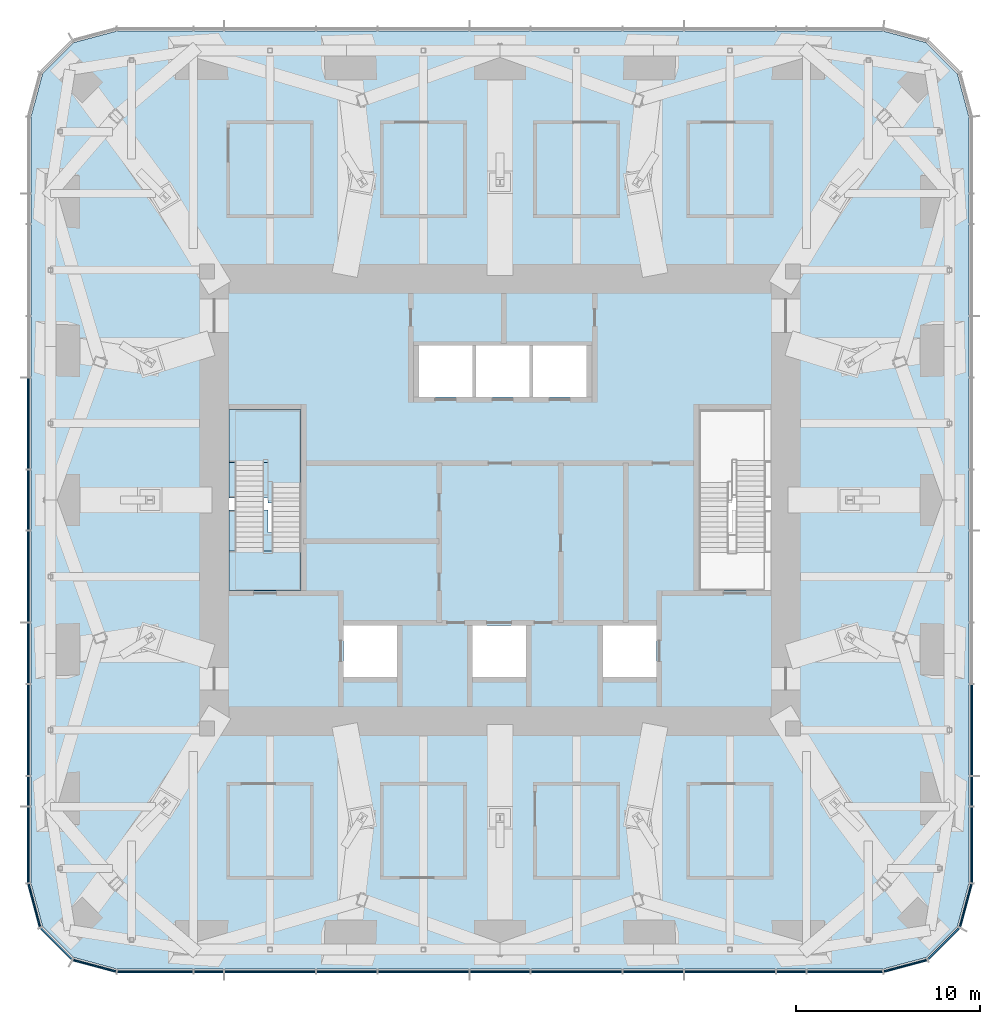
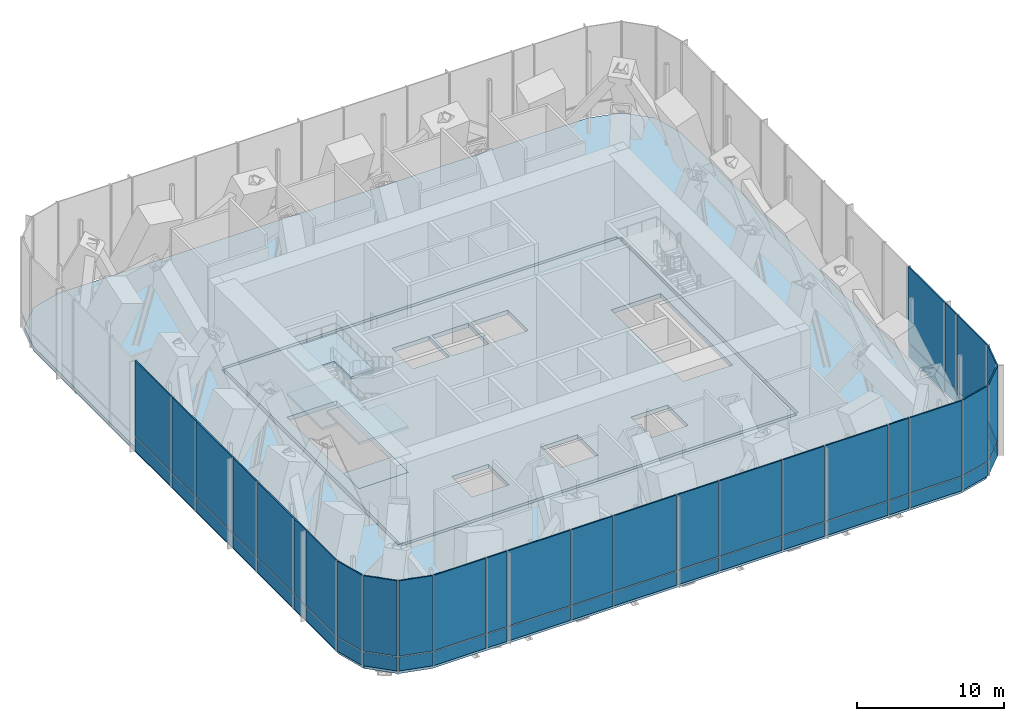
# One storey, part 10 of 16: 54 plates, 6 slabs, 6 elements without a shape of their own.
"""IFC4 building model written with IfcOpenShell, lengths in metres."""

from ifc_helpers import new_model, si_unit, direction, frame, origin, origin_2d, place, context, subcontext, project, spatial, polyline, rectangle, outline, extrude, material, layer, layer_set, type_object, element, aggregate, save


model = new_model("IFC4")

# Units and contexts
model_context = context("Model", 3, precision=1e-05, world=origin(), true_north=direction((0.0, 1.0)))
body_context = subcontext(model_context, "Body", "Model", "MODEL_VIEW")
ifc_project = project(units=[si_unit("LENGTHUNIT", "METRE"), si_unit("AREAUNIT", "SQUARE_METRE"), si_unit("VOLUMEUNIT", "CUBIC_METRE"), si_unit("PLANEANGLEUNIT", "RADIAN"), si_unit("MASSUNIT", "GRAM", prefix="KILO")], contexts=[model_context])

# Site, building, storey
site_placement = place(None, origin())
site = spatial("IfcSite", under=ifc_project, at=site_placement, CompositionType="ELEMENT")
building_placement = place(site_placement, origin())
building = spatial("IfcBuilding", under=site, at=building_placement, Name="Khuree Lantern Residences", CompositionType="ELEMENT")
storey_placement = place(building_placement, frame((0.0, 0.0, 278.25)))
storey = spatial("IfcBuildingStorey", under=building, at=storey_placement, Name="L70", CompositionType="ELEMENT", Elevation=278.25)

# Slabs
ifc_material_1 = material(Name="Concrete C35/45", Category="concrete")
ifc_layer_1 = layer(ifc_material_1, 0.35009765625)
ifc_layer_set_1 = layer_set([ifc_layer_1], Name="CFL350 CORE FLOOR SLAB 350")
slab_type_1 = type_object("IfcSlabType", Name="CFL350 CORE FLOOR SLAB 350", PredefinedType="FLOOR", material=ifc_layer_set_1)
slab_1_placement = place(storey_placement, frame((0.0, 0.0, -0.35009765625)))
element("IfcSlab", 1, at=slab_1_placement, inside=storey, type_object=slab_type_1, Name="Core floor L70", PredefinedType="FLOOR", context=body_context, shape_type="SweptSolid", body=[
    extrude(outline(polyline([(-15.5, -12.0), (-15.5, 12.0), (15.5, 12.0), (15.5, -12.0), (-15.5, -12.0)]), holes=[polyline([(10.800048828125, 4.89990234375), (10.800048828125, -4.89990234375), (14.699951171875, -4.89990234375), (14.699951171875, 4.89990234375), (10.800048828125, 4.89990234375)]), polyline([(5.60009765625, -6.800048828125), (5.60009765625, -9.60009765625), (8.5, -9.60009765625), (8.5, -6.800048828125), (5.60009765625, -6.800048828125)]), polyline([(1.800048828125, 8.39990234375), (1.800048828125, 5.60009765625), (4.699951171875, 5.60009765625), (4.699951171875, 8.39990234375), (1.800048828125, 8.39990234375)]), polyline([(-1.300048828125, 8.39990234375), (-1.300048828125, 5.60009765625), (1.60009765625, 5.60009765625), (1.60009765625, 8.39990234375), (-1.300048828125, 8.39990234375)]), polyline([(-1.5, -6.800048828125), (-1.5, -9.60009765625), (1.39990234375, -9.60009765625), (1.39990234375, -6.800048828125), (-1.5, -6.800048828125)]), polyline([(-4.39990234375, 8.39990234375), (-4.39990234375, 5.60009765625), (-1.5, 5.60009765625), (-1.5, 8.39990234375), (-4.39990234375, 8.39990234375)]), polyline([(-8.5, -6.800048828125), (-8.5, -9.60009765625), (-5.60009765625, -9.60009765625), (-5.60009765625, -6.800048828125), (-8.5, -6.800048828125)]), polyline([(-14.699951171875, 4.89990234375), (-14.699951171875, -4.89990234375), (-10.800048828125, -4.89990234375), (-10.800048828125, 4.89990234375), (-14.699951171875, 4.89990234375)])]), origin(), (0.0, 0.0, 1.0), 0.35009765625),
])
ifc_layer_2 = layer(ifc_material_1, 0.35009765625)
ifc_layer_set_2 = layer_set([ifc_layer_2], Name="FS350 FLOOR SLAB 350")
slab_type_2 = type_object("IfcSlabType", Name="FS350 FLOOR SLAB 350", PredefinedType="FLOOR", material=ifc_layer_set_2)
slab_2_placement = place(storey_placement, frame((0.0, 0.0, -0.35009765625)))
element("IfcSlab", 2, at=slab_2_placement, inside=storey, type_object=slab_type_2, Name="Floor slab L70", PredefinedType="FLOOR", context=body_context, shape_type="SweptSolid", body=[
    extrude(outline(polyline([(-23.125, -24.826904296875), (-24.826904296875, -23.125), (-25.449951171875, -20.800048828125), (-25.449951171875, 20.800048828125), (-24.826904296875, 23.125), (-23.125, 24.826904296875), (-20.800048828125, 25.449951171875), (20.800048828125, 25.449951171875), (23.125, 24.826904296875), (24.826904296875, 23.125), (25.449951171875, 20.800048828125), (25.449951171875, -20.800048828125), (24.826904296875, -23.125), (23.125, -24.826904296875), (20.800048828125, -25.449951171875), (-20.800048828125, -25.449951171875), (-23.125, -24.826904296875)]), holes=[polyline([(15.75, 12.0), (15.5, 12.0), (15.5, 12.25), (-15.5, 12.25), (-15.5, 12.0), (-15.75, 12.0), (-15.75, -12.0), (-15.5, -12.0), (-15.5, -12.25), (15.5, -12.25), (15.5, -12.0), (15.75, -12.0), (15.75, 12.0)])]), origin(), (0.0, 0.0, 1.0), 0.35009765625),
])

# Curtain wall, plates
ifc_material_2 = material(Name="Bronze anodised aluminium", Category="aluminium")
curtain_wall_type = type_object("IfcCurtainWallType", Name="CW-G PLANT STOREY LOUVRED CURTAIN WALL", PredefinedType="USERDEFINED", material=ifc_material_2)
curtain_wall_1_placement = place(storey_placement, origin())
curtain_wall_1 = element("IfcCurtainWall", 3, at=curtain_wall_1_placement, inside=storey, type_object=curtain_wall_type, Name="L70 SOUTH-EAST CORNER CURTAIN WALL", ObjectType="Louvred curtain wall", PredefinedType="USERDEFINED")
ifc_material_3 = material(Name="Bronze anodised aluminium louvre blades", Category="aluminium")
ifc_layer_3 = layer(ifc_material_3, 0.10009765625)
ifc_layer_set_3 = layer_set([ifc_layer_3], Name="LOUVRE PANEL P5")
plate_type_1 = type_object("IfcPlateType", Name="LOUVRE PANEL P5", PredefinedType="CURTAIN_PANEL", material=ifc_layer_set_3)
plate_1_placement = place(storey_placement, frame((21.99609375, -25.279541015625, 1.240234375), z_axis=(0.0, 0.0, 1.0), x_axis=(0.965925832509, 0.258819021888, 0.0)))
plate_1 = element("IfcPlate", 4, at=plate_1_placement, type_object=plate_type_1, Name="L70 SOUTH-EAST CORNER PANEL 1.2", PredefinedType="CURTAIN_PANEL", context=body_context, shape_type="SweptSolid", body=[
    extrude(rectangle(XDim=2.3828125, YDim=0.10009765625, at=origin_2d()), origin(), (0.0, 0.0, 1.0), 6.260009765625),
])
plate_2_placement = place(storey_placement, frame((24.078369140625, -24.078369140625, 1.240234375), z_axis=(0.0, 0.0, 1.0), x_axis=(0.707106781187, 0.707106781187, 0.0)))
plate_2 = element("IfcPlate", 5, at=plate_2_placement, type_object=plate_type_1, Name="L70 SOUTH-EAST CORNER PANEL 2.2", PredefinedType="CURTAIN_PANEL", context=body_context, shape_type="SweptSolid", body=[
    extrude(rectangle(XDim=2.375, YDim=0.10009765625, at=origin_2d()), origin(), (0.0, 0.0, 1.0), 6.260009765625),
])
plate_3_placement = place(storey_placement, frame((25.279541015625, -21.99609375, 1.240234375), z_axis=(0.0, 0.0, 1.0), x_axis=(0.258819021888, 0.965925832509, 0.0)))
plate_3 = element("IfcPlate", 6, at=plate_3_placement, type_object=plate_type_1, Name="L70 SOUTH-EAST CORNER PANEL 3.2", PredefinedType="CURTAIN_PANEL", context=body_context, shape_type="SweptSolid", body=[
    extrude(rectangle(XDim=2.3828125, YDim=0.10009765625, at=origin_2d()), origin(), (0.0, 0.0, 1.0), 6.260009765625),
])

curtain_wall_2_placement = place(storey_placement, origin())
curtain_wall_2 = element("IfcCurtainWall", 7, at=curtain_wall_2_placement, inside=storey, type_object=curtain_wall_type, Name="L70 EAST FACE CURTAIN WALL", ObjectType="Louvred curtain wall", PredefinedType="USERDEFINED")
plate_4_placement = place(storey_placement, frame((25.60009765625, -18.716552734375, 1.240234375), z_axis=(0.0, 0.0, 1.0), x_axis=(0.0, 1.0, 0.0)))
plate_4 = element("IfcPlate", 8, at=plate_4_placement, type_object=plate_type_1, Name="L70 EAST FACE PANEL 4.2", PredefinedType="CURTAIN_PANEL", context=body_context, shape_type="SweptSolid", body=[
    extrude(rectangle(XDim=4.072998046875, YDim=0.10009765625, at=origin_2d()), origin(), (0.0, 0.0, 1.0), 6.260009765625),
])
plate_5_placement = place(storey_placement, frame((25.60009765625, -15.80810546875, 1.240234375), z_axis=(0.0, 0.0, 1.0), x_axis=(0.0, 1.0, 0.0)))
plate_5 = element("IfcPlate", 9, at=plate_5_placement, type_object=plate_type_1, Name="L70 EAST FACE PANEL 5.2", PredefinedType="CURTAIN_PANEL", context=body_context, shape_type="SweptSolid", body=[
    extrude(rectangle(XDim=1.583984375, YDim=0.10009765625, at=origin_2d()), origin(), (0.0, 0.0, 1.0), 6.260009765625),
])
plate_6_placement = place(storey_placement, frame((25.60009765625, -12.47998046875, 1.240234375), z_axis=(0.0, 0.0, 1.0), x_axis=(0.0, 1.0, 0.0)))
plate_6 = element("IfcPlate", 10, at=plate_6_placement, type_object=plate_type_1, Name="L70 EAST FACE PANEL 6.2", PredefinedType="CURTAIN_PANEL", context=body_context, shape_type="SweptSolid", body=[
    extrude(rectangle(XDim=4.912109375, YDim=0.10009765625, at=origin_2d()), origin(), (0.0, 0.0, 1.0), 6.260009765625),
])

curtain_wall_3_placement = place(storey_placement, origin())
curtain_wall_3 = element("IfcCurtainWall", 11, at=curtain_wall_3_placement, inside=storey, type_object=curtain_wall_type, Name="L70 WEST FACE CURTAIN WALL", ObjectType="Louvred curtain wall", PredefinedType="USERDEFINED")
plate_7_placement = place(storey_placement, frame((-25.60009765625, 4.159912109375, 1.240234375), z_axis=(0.0, 0.0, 1.0), x_axis=(0.0, -1.0, 0.0)))
plate_7 = element("IfcPlate", 12, at=plate_7_placement, type_object=plate_type_1, Name="L70 WEST FACE PANEL 36.2", PredefinedType="CURTAIN_PANEL", context=body_context, shape_type="SweptSolid", body=[
    extrude(rectangle(XDim=4.912109375, YDim=0.10009765625, at=origin_2d()), origin(), (0.0, 0.0, 1.0), 6.260009765625),
])
plate_8_placement = place(storey_placement, frame((-25.60009765625, 0.0, 1.240234375), z_axis=(0.0, 0.0, 1.0), x_axis=(0.0, -1.0, 0.0)))
plate_8 = element("IfcPlate", 13, at=plate_8_placement, type_object=plate_type_1, Name="L70 WEST FACE PANEL 37.2", PredefinedType="CURTAIN_PANEL", context=body_context, shape_type="SweptSolid", body=[
    extrude(rectangle(XDim=3.248046875, YDim=0.10009765625, at=origin_2d()), origin(), (0.0, 0.0, 1.0), 6.260009765625),
])
plate_9_placement = place(storey_placement, frame((-25.60009765625, -4.159912109375, 1.240234375), z_axis=(0.0, 0.0, 1.0), x_axis=(0.0, -1.0, 0.0)))
plate_9 = element("IfcPlate", 14, at=plate_9_placement, type_object=plate_type_1, Name="L70 WEST FACE PANEL 38.2", PredefinedType="CURTAIN_PANEL", context=body_context, shape_type="SweptSolid", body=[
    extrude(rectangle(XDim=4.912109375, YDim=0.10009765625, at=origin_2d()), origin(), (0.0, 0.0, 1.0), 6.260009765625),
])
plate_10_placement = place(storey_placement, frame((-25.60009765625, -8.320068359375, 1.240234375), z_axis=(0.0, 0.0, 1.0), x_axis=(0.0, -1.0, 0.0)))
plate_10 = element("IfcPlate", 15, at=plate_10_placement, type_object=plate_type_1, Name="L70 WEST FACE PANEL 39.2", PredefinedType="CURTAIN_PANEL", context=body_context, shape_type="SweptSolid", body=[
    extrude(rectangle(XDim=3.248046875, YDim=0.10009765625, at=origin_2d()), origin(), (0.0, 0.0, 1.0), 6.260009765625),
])
plate_11_placement = place(storey_placement, frame((-25.60009765625, -12.47998046875, 1.240234375), z_axis=(0.0, 0.0, 1.0), x_axis=(0.0, -1.0, 0.0)))
plate_11 = element("IfcPlate", 16, at=plate_11_placement, type_object=plate_type_1, Name="L70 WEST FACE PANEL 40.2", PredefinedType="CURTAIN_PANEL", context=body_context, shape_type="SweptSolid", body=[
    extrude(rectangle(XDim=4.912109375, YDim=0.10009765625, at=origin_2d()), origin(), (0.0, 0.0, 1.0), 6.260009765625),
])
plate_12_placement = place(storey_placement, frame((-25.60009765625, -15.80810546875, 1.240234375), z_axis=(0.0, 0.0, 1.0), x_axis=(0.0, -1.0, 0.0)))
plate_12 = element("IfcPlate", 17, at=plate_12_placement, type_object=plate_type_1, Name="L70 WEST FACE PANEL 41.2", PredefinedType="CURTAIN_PANEL", context=body_context, shape_type="SweptSolid", body=[
    extrude(rectangle(XDim=1.583984375, YDim=0.10009765625, at=origin_2d()), origin(), (0.0, 0.0, 1.0), 6.260009765625),
])
plate_13_placement = place(storey_placement, frame((-25.60009765625, -18.716552734375, 1.240234375), z_axis=(0.0, 0.0, 1.0), x_axis=(0.0, -1.0, 0.0)))
plate_13 = element("IfcPlate", 18, at=plate_13_placement, type_object=plate_type_1, Name="L70 WEST FACE PANEL 42.2", PredefinedType="CURTAIN_PANEL", context=body_context, shape_type="SweptSolid", body=[
    extrude(rectangle(XDim=4.072998046875, YDim=0.10009765625, at=origin_2d()), origin(), (0.0, 0.0, 1.0), 6.260009765625),
])

curtain_wall_4_placement = place(storey_placement, origin())
curtain_wall_4 = element("IfcCurtainWall", 19, at=curtain_wall_4_placement, inside=storey, type_object=curtain_wall_type, Name="L70 SOUTH-WEST CORNER CURTAIN WALL", ObjectType="Louvred curtain wall", PredefinedType="USERDEFINED")
plate_14_placement = place(storey_placement, frame((-25.279541015625, -21.99609375, 1.240234375), z_axis=(0.0, 0.0, 1.0), x_axis=(0.258819021888, -0.965925832509, 0.0)))
plate_14 = element("IfcPlate", 20, at=plate_14_placement, type_object=plate_type_1, Name="L70 SOUTH-WEST CORNER PANEL 43.2", PredefinedType="CURTAIN_PANEL", context=body_context, shape_type="SweptSolid", body=[
    extrude(rectangle(XDim=2.3828125, YDim=0.10009765625, at=origin_2d()), origin(), (0.0, 0.0, 1.0), 6.260009765625),
])
plate_15_placement = place(storey_placement, frame((-24.078369140625, -24.078369140625, 1.240234375), z_axis=(0.0, 0.0, 1.0), x_axis=(0.707106781187, -0.707106781187, 0.0)))
plate_15 = element("IfcPlate", 21, at=plate_15_placement, type_object=plate_type_1, Name="L70 SOUTH-WEST CORNER PANEL 44.2", PredefinedType="CURTAIN_PANEL", context=body_context, shape_type="SweptSolid", body=[
    extrude(rectangle(XDim=2.375, YDim=0.10009765625, at=origin_2d()), origin(), (0.0, 0.0, 1.0), 6.260009765625),
])
plate_16_placement = place(storey_placement, frame((-21.99609375, -25.279541015625, 1.240234375), z_axis=(0.0, 0.0, 1.0), x_axis=(0.965925832509, -0.258819021888, 0.0)))
plate_16 = element("IfcPlate", 22, at=plate_16_placement, type_object=plate_type_1, Name="L70 SOUTH-WEST CORNER PANEL 45.2", PredefinedType="CURTAIN_PANEL", context=body_context, shape_type="SweptSolid", body=[
    extrude(rectangle(XDim=2.3828125, YDim=0.10009765625, at=origin_2d()), origin(), (0.0, 0.0, 1.0), 6.260009765625),
])

curtain_wall_5_placement = place(storey_placement, origin())
curtain_wall_5 = element("IfcCurtainWall", 23, at=curtain_wall_5_placement, inside=storey, type_object=curtain_wall_type, Name="L70 SOUTH FACE CURTAIN WALL", ObjectType="Louvred curtain wall", PredefinedType="USERDEFINED")
plate_17_placement = place(storey_placement, frame((-18.716552734375, -25.60009765625, 1.240234375), z_axis=(0.0, 0.0, 1.0), x_axis=(1.0, 0.0, 0.0)))
plate_17 = element("IfcPlate", 24, at=plate_17_placement, type_object=plate_type_1, Name="L70 SOUTH FACE PANEL 46.2", PredefinedType="CURTAIN_PANEL", context=body_context, shape_type="SweptSolid", body=[
    extrude(rectangle(XDim=4.072998046875, YDim=0.10009765625, at=origin_2d()), origin(), (0.0, 0.0, 1.0), 6.260009765625),
])
plate_18_placement = place(storey_placement, frame((-15.80810546875, -25.60009765625, 1.240234375), z_axis=(0.0, 0.0, 1.0), x_axis=(1.0, 0.0, 0.0)))
plate_18 = element("IfcPlate", 25, at=plate_18_placement, type_object=plate_type_1, Name="L70 SOUTH FACE PANEL 47.2", PredefinedType="CURTAIN_PANEL", context=body_context, shape_type="SweptSolid", body=[
    extrude(rectangle(XDim=1.583984375, YDim=0.10009765625, at=origin_2d()), origin(), (0.0, 0.0, 1.0), 6.260009765625),
])
plate_19_placement = place(storey_placement, frame((-12.47998046875, -25.60009765625, 1.240234375), z_axis=(0.0, 0.0, 1.0), x_axis=(1.0, 0.0, 0.0)))
plate_19 = element("IfcPlate", 26, at=plate_19_placement, type_object=plate_type_1, Name="L70 SOUTH FACE PANEL 48.2", PredefinedType="CURTAIN_PANEL", context=body_context, shape_type="SweptSolid", body=[
    extrude(rectangle(XDim=4.912109375, YDim=0.10009765625, at=origin_2d()), origin(), (0.0, 0.0, 1.0), 6.260009765625),
])
plate_20_placement = place(storey_placement, frame((-8.320068359375, -25.60009765625, 1.240234375), z_axis=(0.0, 0.0, 1.0), x_axis=(1.0, 0.0, 0.0)))
plate_20 = element("IfcPlate", 27, at=plate_20_placement, type_object=plate_type_1, Name="L70 SOUTH FACE PANEL 49.2", PredefinedType="CURTAIN_PANEL", context=body_context, shape_type="SweptSolid", body=[
    extrude(rectangle(XDim=3.248046875, YDim=0.10009765625, at=origin_2d()), origin(), (0.0, 0.0, 1.0), 6.260009765625),
])
plate_21_placement = place(storey_placement, frame((-4.159912109375, -25.60009765625, 1.240234375), z_axis=(0.0, 0.0, 1.0), x_axis=(1.0, 0.0, 0.0)))
plate_21 = element("IfcPlate", 28, at=plate_21_placement, type_object=plate_type_1, Name="L70 SOUTH FACE PANEL 50.2", PredefinedType="CURTAIN_PANEL", context=body_context, shape_type="SweptSolid", body=[
    extrude(rectangle(XDim=4.912109375, YDim=0.10009765625, at=origin_2d()), origin(), (0.0, 0.0, 1.0), 6.260009765625),
])
plate_22_placement = place(storey_placement, frame((0.0, -25.60009765625, 1.240234375), z_axis=(0.0, 0.0, 1.0), x_axis=(1.0, 0.0, 0.0)))
plate_22 = element("IfcPlate", 29, at=plate_22_placement, type_object=plate_type_1, Name="L70 SOUTH FACE PANEL 51.2", PredefinedType="CURTAIN_PANEL", context=body_context, shape_type="SweptSolid", body=[
    extrude(rectangle(XDim=3.248046875, YDim=0.10009765625, at=origin_2d()), origin(), (0.0, 0.0, 1.0), 6.260009765625),
])
plate_23_placement = place(storey_placement, frame((4.159912109375, -25.60009765625, 1.240234375), z_axis=(0.0, 0.0, 1.0), x_axis=(1.0, 0.0, 0.0)))
plate_23 = element("IfcPlate", 30, at=plate_23_placement, type_object=plate_type_1, Name="L70 SOUTH FACE PANEL 52.2", PredefinedType="CURTAIN_PANEL", context=body_context, shape_type="SweptSolid", body=[
    extrude(rectangle(XDim=4.912109375, YDim=0.10009765625, at=origin_2d()), origin(), (0.0, 0.0, 1.0), 6.260009765625),
])
plate_24_placement = place(storey_placement, frame((8.320068359375, -25.60009765625, 1.240234375), z_axis=(0.0, 0.0, 1.0), x_axis=(1.0, 0.0, 0.0)))
plate_24 = element("IfcPlate", 31, at=plate_24_placement, type_object=plate_type_1, Name="L70 SOUTH FACE PANEL 53.2", PredefinedType="CURTAIN_PANEL", context=body_context, shape_type="SweptSolid", body=[
    extrude(rectangle(XDim=3.248046875, YDim=0.10009765625, at=origin_2d()), origin(), (0.0, 0.0, 1.0), 6.260009765625),
])
plate_25_placement = place(storey_placement, frame((12.47998046875, -25.60009765625, 1.240234375), z_axis=(0.0, 0.0, 1.0), x_axis=(1.0, 0.0, 0.0)))
plate_25 = element("IfcPlate", 32, at=plate_25_placement, type_object=plate_type_1, Name="L70 SOUTH FACE PANEL 54.2", PredefinedType="CURTAIN_PANEL", context=body_context, shape_type="SweptSolid", body=[
    extrude(rectangle(XDim=4.912109375, YDim=0.10009765625, at=origin_2d()), origin(), (0.0, 0.0, 1.0), 6.260009765625),
])
plate_26_placement = place(storey_placement, frame((15.80810546875, -25.60009765625, 1.240234375), z_axis=(0.0, 0.0, 1.0), x_axis=(1.0, 0.0, 0.0)))
plate_26 = element("IfcPlate", 33, at=plate_26_placement, type_object=plate_type_1, Name="L70 SOUTH FACE PANEL 55.2", PredefinedType="CURTAIN_PANEL", context=body_context, shape_type="SweptSolid", body=[
    extrude(rectangle(XDim=1.583984375, YDim=0.10009765625, at=origin_2d()), origin(), (0.0, 0.0, 1.0), 6.260009765625),
])
plate_27_placement = place(storey_placement, frame((18.716552734375, -25.60009765625, 1.240234375), z_axis=(0.0, 0.0, 1.0), x_axis=(1.0, 0.0, 0.0)))
plate_27 = element("IfcPlate", 34, at=plate_27_placement, type_object=plate_type_1, Name="L70 SOUTH FACE PANEL 56.2", PredefinedType="CURTAIN_PANEL", context=body_context, shape_type="SweptSolid", body=[
    extrude(rectangle(XDim=4.072998046875, YDim=0.10009765625, at=origin_2d()), origin(), (0.0, 0.0, 1.0), 6.260009765625),
])

# Plate
ifc_material_4 = material(Name="Bronze anodised aluminium insulated spandrel", Category="aluminium")
ifc_layer_4 = layer(ifc_material_4, 0.080078125)
ifc_layer_set_4 = layer_set([ifc_layer_4], Name="PLANT SPANDREL PANEL P6")
plate_type_2 = type_object("IfcPlateType", Name="PLANT SPANDREL PANEL P6", PredefinedType="CURTAIN_PANEL", material=ifc_layer_set_4)
plate_28_placement = place(storey_placement, frame((21.996826171875, -25.279296875, 0.0), z_axis=(0.0, 0.0, 1.0), x_axis=(0.965925832509, 0.258819021888, 0.0)))
plate_28 = element("IfcPlate", 35, at=plate_28_placement, type_object=plate_type_2, Name="L70 SOUTH-EAST CORNER PANEL 1.1", PredefinedType="CURTAIN_PANEL", context=body_context, shape_type="SweptSolid", body=[
    extrude(rectangle(XDim=2.386962890625, YDim=0.080078125, at=origin_2d()), origin(), (0.0, 0.0, 1.0), 1.159912109375),
])

plate_29_placement = place(storey_placement, frame((24.078369140625, -24.078369140625, 0.0), z_axis=(0.0, 0.0, 1.0), x_axis=(0.707106781187, 0.707106781187, 0.0)))
plate_29 = element("IfcPlate", 36, at=plate_29_placement, type_object=plate_type_2, Name="L70 SOUTH-EAST CORNER PANEL 2.1", PredefinedType="CURTAIN_PANEL", context=body_context, shape_type="SweptSolid", body=[
    extrude(rectangle(XDim=2.38037109375, YDim=0.080078125, at=origin_2d()), origin(), (0.0, 0.0, 1.0), 1.159912109375),
])

plate_30_placement = place(storey_placement, frame((25.279296875, -21.996826171875, 0.0), z_axis=(0.0, 0.0, 1.0), x_axis=(0.258819021888, 0.965925832509, 0.0)))
plate_30 = element("IfcPlate", 37, at=plate_30_placement, type_object=plate_type_2, Name="L70 SOUTH-EAST CORNER PANEL 3.1", PredefinedType="CURTAIN_PANEL", context=body_context, shape_type="SweptSolid", body=[
    extrude(rectangle(XDim=2.386962890625, YDim=0.080078125, at=origin_2d()), origin(), (0.0, 0.0, 1.0), 1.159912109375),
])

aggregate(curtain_wall_1, [plate_28, plate_1, plate_29, plate_2, plate_30, plate_3])

plate_31_placement = place(storey_placement, frame((25.60009765625, -18.71728515625, 0.0), z_axis=(0.0, 0.0, 1.0), x_axis=(0.0, 1.0, 0.0)))
plate_31 = element("IfcPlate", 38, at=plate_31_placement, type_object=plate_type_2, Name="L70 EAST FACE PANEL 4.1", PredefinedType="CURTAIN_PANEL", context=body_context, shape_type="SweptSolid", body=[
    extrude(rectangle(XDim=4.074462890625, YDim=0.080078125, at=origin_2d()), origin(), (0.0, 0.0, 1.0), 1.159912109375),
])

plate_32_placement = place(storey_placement, frame((25.60009765625, -15.80810546875, 0.0), z_axis=(0.0, 0.0, 1.0), x_axis=(0.0, 1.0, 0.0)))
plate_32 = element("IfcPlate", 39, at=plate_32_placement, type_object=plate_type_2, Name="L70 EAST FACE PANEL 5.1", PredefinedType="CURTAIN_PANEL", context=body_context, shape_type="SweptSolid", body=[
    extrude(rectangle(XDim=1.583984375, YDim=0.080078125, at=origin_2d()), origin(), (0.0, 0.0, 1.0), 1.159912109375),
])

plate_33_placement = place(storey_placement, frame((25.60009765625, -12.47998046875, 0.0), z_axis=(0.0, 0.0, 1.0), x_axis=(0.0, 1.0, 0.0)))
plate_33 = element("IfcPlate", 40, at=plate_33_placement, type_object=plate_type_2, Name="L70 EAST FACE PANEL 6.1", PredefinedType="CURTAIN_PANEL", context=body_context, shape_type="SweptSolid", body=[
    extrude(rectangle(XDim=4.912109375, YDim=0.080078125, at=origin_2d()), origin(), (0.0, 0.0, 1.0), 1.159912109375),
])

aggregate(curtain_wall_2, [plate_31, plate_4, plate_32, plate_5, plate_33, plate_6])

plate_34_placement = place(storey_placement, frame((-25.60009765625, 4.159912109375, 0.0), z_axis=(0.0, 0.0, 1.0), x_axis=(0.0, -1.0, 0.0)))
plate_34 = element("IfcPlate", 41, at=plate_34_placement, type_object=plate_type_2, Name="L70 WEST FACE PANEL 36.1", PredefinedType="CURTAIN_PANEL", context=body_context, shape_type="SweptSolid", body=[
    extrude(rectangle(XDim=4.912109375, YDim=0.080078125, at=origin_2d()), origin(), (0.0, 0.0, 1.0), 1.159912109375),
])

plate_35_placement = place(storey_placement, frame((-25.60009765625, 0.0, 0.0), z_axis=(0.0, 0.0, 1.0), x_axis=(0.0, -1.0, 0.0)))
plate_35 = element("IfcPlate", 42, at=plate_35_placement, type_object=plate_type_2, Name="L70 WEST FACE PANEL 37.1", PredefinedType="CURTAIN_PANEL", context=body_context, shape_type="SweptSolid", body=[
    extrude(rectangle(XDim=3.248046875, YDim=0.080078125, at=origin_2d()), origin(), (0.0, 0.0, 1.0), 1.159912109375),
])

plate_36_placement = place(storey_placement, frame((-25.60009765625, -4.159912109375, 0.0), z_axis=(0.0, 0.0, 1.0), x_axis=(0.0, -1.0, 0.0)))
plate_36 = element("IfcPlate", 43, at=plate_36_placement, type_object=plate_type_2, Name="L70 WEST FACE PANEL 38.1", PredefinedType="CURTAIN_PANEL", context=body_context, shape_type="SweptSolid", body=[
    extrude(rectangle(XDim=4.912109375, YDim=0.080078125, at=origin_2d()), origin(), (0.0, 0.0, 1.0), 1.159912109375),
])

plate_37_placement = place(storey_placement, frame((-25.60009765625, -8.320068359375, 0.0), z_axis=(0.0, 0.0, 1.0), x_axis=(0.0, -1.0, 0.0)))
plate_37 = element("IfcPlate", 44, at=plate_37_placement, type_object=plate_type_2, Name="L70 WEST FACE PANEL 39.1", PredefinedType="CURTAIN_PANEL", context=body_context, shape_type="SweptSolid", body=[
    extrude(rectangle(XDim=3.248046875, YDim=0.080078125, at=origin_2d()), origin(), (0.0, 0.0, 1.0), 1.159912109375),
])

plate_38_placement = place(storey_placement, frame((-25.60009765625, -12.47998046875, 0.0), z_axis=(0.0, 0.0, 1.0), x_axis=(0.0, -1.0, 0.0)))
plate_38 = element("IfcPlate", 45, at=plate_38_placement, type_object=plate_type_2, Name="L70 WEST FACE PANEL 40.1", PredefinedType="CURTAIN_PANEL", context=body_context, shape_type="SweptSolid", body=[
    extrude(rectangle(XDim=4.912109375, YDim=0.080078125, at=origin_2d()), origin(), (0.0, 0.0, 1.0), 1.159912109375),
])

plate_39_placement = place(storey_placement, frame((-25.60009765625, -15.80810546875, 0.0), z_axis=(0.0, 0.0, 1.0), x_axis=(0.0, -1.0, 0.0)))
plate_39 = element("IfcPlate", 46, at=plate_39_placement, type_object=plate_type_2, Name="L70 WEST FACE PANEL 41.1", PredefinedType="CURTAIN_PANEL", context=body_context, shape_type="SweptSolid", body=[
    extrude(rectangle(XDim=1.583984375, YDim=0.080078125, at=origin_2d()), origin(), (0.0, 0.0, 1.0), 1.159912109375),
])

plate_40_placement = place(storey_placement, frame((-25.60009765625, -18.71728515625, 0.0), z_axis=(0.0, 0.0, 1.0), x_axis=(0.0, -1.0, 0.0)))
plate_40 = element("IfcPlate", 47, at=plate_40_placement, type_object=plate_type_2, Name="L70 WEST FACE PANEL 42.1", PredefinedType="CURTAIN_PANEL", context=body_context, shape_type="SweptSolid", body=[
    extrude(rectangle(XDim=4.074462890625, YDim=0.080078125, at=origin_2d()), origin(), (0.0, 0.0, 1.0), 1.159912109375),
])

aggregate(curtain_wall_3, [plate_34, plate_7, plate_35, plate_8, plate_36, plate_9, plate_37, plate_10, plate_38, plate_11, plate_39, plate_12, plate_40, plate_13])

plate_41_placement = place(storey_placement, frame((-25.279296875, -21.996826171875, 0.0), z_axis=(0.0, 0.0, 1.0), x_axis=(0.258819021888, -0.965925832509, 0.0)))
plate_41 = element("IfcPlate", 48, at=plate_41_placement, type_object=plate_type_2, Name="L70 SOUTH-WEST CORNER PANEL 43.1", PredefinedType="CURTAIN_PANEL", context=body_context, shape_type="SweptSolid", body=[
    extrude(rectangle(XDim=2.386962890625, YDim=0.080078125, at=origin_2d()), origin(), (0.0, 0.0, 1.0), 1.159912109375),
])

plate_42_placement = place(storey_placement, frame((-24.078369140625, -24.078369140625, 0.0), z_axis=(0.0, 0.0, 1.0), x_axis=(0.707106781187, -0.707106781187, 0.0)))
plate_42 = element("IfcPlate", 49, at=plate_42_placement, type_object=plate_type_2, Name="L70 SOUTH-WEST CORNER PANEL 44.1", PredefinedType="CURTAIN_PANEL", context=body_context, shape_type="SweptSolid", body=[
    extrude(rectangle(XDim=2.38037109375, YDim=0.080078125, at=origin_2d()), origin(), (0.0, 0.0, 1.0), 1.159912109375),
])

plate_43_placement = place(storey_placement, frame((-21.996826171875, -25.279296875, 0.0), z_axis=(0.0, 0.0, 1.0), x_axis=(0.965925832509, -0.258819021888, 0.0)))
plate_43 = element("IfcPlate", 50, at=plate_43_placement, type_object=plate_type_2, Name="L70 SOUTH-WEST CORNER PANEL 45.1", PredefinedType="CURTAIN_PANEL", context=body_context, shape_type="SweptSolid", body=[
    extrude(rectangle(XDim=2.386962890625, YDim=0.080078125, at=origin_2d()), origin(), (0.0, 0.0, 1.0), 1.159912109375),
])

aggregate(curtain_wall_4, [plate_41, plate_14, plate_42, plate_15, plate_43, plate_16])

plate_44_placement = place(storey_placement, frame((-18.71728515625, -25.60009765625, 0.0), z_axis=(0.0, 0.0, 1.0), x_axis=(1.0, 0.0, 0.0)))
plate_44 = element("IfcPlate", 51, at=plate_44_placement, type_object=plate_type_2, Name="L70 SOUTH FACE PANEL 46.1", PredefinedType="CURTAIN_PANEL", context=body_context, shape_type="SweptSolid", body=[
    extrude(rectangle(XDim=4.074462890625, YDim=0.080078125, at=origin_2d()), origin(), (0.0, 0.0, 1.0), 1.159912109375),
])

plate_45_placement = place(storey_placement, frame((-15.80810546875, -25.60009765625, 0.0), z_axis=(0.0, 0.0, 1.0), x_axis=(1.0, 0.0, 0.0)))
plate_45 = element("IfcPlate", 52, at=plate_45_placement, type_object=plate_type_2, Name="L70 SOUTH FACE PANEL 47.1", PredefinedType="CURTAIN_PANEL", context=body_context, shape_type="SweptSolid", body=[
    extrude(rectangle(XDim=1.583984375, YDim=0.080078125, at=origin_2d()), origin(), (0.0, 0.0, 1.0), 1.159912109375),
])

plate_46_placement = place(storey_placement, frame((-12.47998046875, -25.60009765625, 0.0), z_axis=(0.0, 0.0, 1.0), x_axis=(1.0, 0.0, 0.0)))
plate_46 = element("IfcPlate", 53, at=plate_46_placement, type_object=plate_type_2, Name="L70 SOUTH FACE PANEL 48.1", PredefinedType="CURTAIN_PANEL", context=body_context, shape_type="SweptSolid", body=[
    extrude(rectangle(XDim=4.912109375, YDim=0.080078125, at=origin_2d()), origin(), (0.0, 0.0, 1.0), 1.159912109375),
])

plate_47_placement = place(storey_placement, frame((-8.320068359375, -25.60009765625, 0.0), z_axis=(0.0, 0.0, 1.0), x_axis=(1.0, 0.0, 0.0)))
plate_47 = element("IfcPlate", 54, at=plate_47_placement, type_object=plate_type_2, Name="L70 SOUTH FACE PANEL 49.1", PredefinedType="CURTAIN_PANEL", context=body_context, shape_type="SweptSolid", body=[
    extrude(rectangle(XDim=3.248046875, YDim=0.080078125, at=origin_2d()), origin(), (0.0, 0.0, 1.0), 1.159912109375),
])

plate_48_placement = place(storey_placement, frame((-4.159912109375, -25.60009765625, 0.0), z_axis=(0.0, 0.0, 1.0), x_axis=(1.0, 0.0, 0.0)))
plate_48 = element("IfcPlate", 55, at=plate_48_placement, type_object=plate_type_2, Name="L70 SOUTH FACE PANEL 50.1", PredefinedType="CURTAIN_PANEL", context=body_context, shape_type="SweptSolid", body=[
    extrude(rectangle(XDim=4.912109375, YDim=0.080078125, at=origin_2d()), origin(), (0.0, 0.0, 1.0), 1.159912109375),
])

plate_49_placement = place(storey_placement, frame((0.0, -25.60009765625, 0.0), z_axis=(0.0, 0.0, 1.0), x_axis=(1.0, 0.0, 0.0)))
plate_49 = element("IfcPlate", 56, at=plate_49_placement, type_object=plate_type_2, Name="L70 SOUTH FACE PANEL 51.1", PredefinedType="CURTAIN_PANEL", context=body_context, shape_type="SweptSolid", body=[
    extrude(rectangle(XDim=3.248046875, YDim=0.080078125, at=origin_2d()), origin(), (0.0, 0.0, 1.0), 1.159912109375),
])

plate_50_placement = place(storey_placement, frame((4.159912109375, -25.60009765625, 0.0), z_axis=(0.0, 0.0, 1.0), x_axis=(1.0, 0.0, 0.0)))
plate_50 = element("IfcPlate", 57, at=plate_50_placement, type_object=plate_type_2, Name="L70 SOUTH FACE PANEL 52.1", PredefinedType="CURTAIN_PANEL", context=body_context, shape_type="SweptSolid", body=[
    extrude(rectangle(XDim=4.912109375, YDim=0.080078125, at=origin_2d()), origin(), (0.0, 0.0, 1.0), 1.159912109375),
])

plate_51_placement = place(storey_placement, frame((8.320068359375, -25.60009765625, 0.0), z_axis=(0.0, 0.0, 1.0), x_axis=(1.0, 0.0, 0.0)))
plate_51 = element("IfcPlate", 58, at=plate_51_placement, type_object=plate_type_2, Name="L70 SOUTH FACE PANEL 53.1", PredefinedType="CURTAIN_PANEL", context=body_context, shape_type="SweptSolid", body=[
    extrude(rectangle(XDim=3.248046875, YDim=0.080078125, at=origin_2d()), origin(), (0.0, 0.0, 1.0), 1.159912109375),
])

plate_52_placement = place(storey_placement, frame((12.47998046875, -25.60009765625, 0.0), z_axis=(0.0, 0.0, 1.0), x_axis=(1.0, 0.0, 0.0)))
plate_52 = element("IfcPlate", 59, at=plate_52_placement, type_object=plate_type_2, Name="L70 SOUTH FACE PANEL 54.1", PredefinedType="CURTAIN_PANEL", context=body_context, shape_type="SweptSolid", body=[
    extrude(rectangle(XDim=4.912109375, YDim=0.080078125, at=origin_2d()), origin(), (0.0, 0.0, 1.0), 1.159912109375),
])

plate_53_placement = place(storey_placement, frame((15.80810546875, -25.60009765625, 0.0), z_axis=(0.0, 0.0, 1.0), x_axis=(1.0, 0.0, 0.0)))
plate_53 = element("IfcPlate", 60, at=plate_53_placement, type_object=plate_type_2, Name="L70 SOUTH FACE PANEL 55.1", PredefinedType="CURTAIN_PANEL", context=body_context, shape_type="SweptSolid", body=[
    extrude(rectangle(XDim=1.583984375, YDim=0.080078125, at=origin_2d()), origin(), (0.0, 0.0, 1.0), 1.159912109375),
])

plate_54_placement = place(storey_placement, frame((18.71728515625, -25.60009765625, 0.0), z_axis=(0.0, 0.0, 1.0), x_axis=(1.0, 0.0, 0.0)))
plate_54 = element("IfcPlate", 61, at=plate_54_placement, type_object=plate_type_2, Name="L70 SOUTH FACE PANEL 56.1", PredefinedType="CURTAIN_PANEL", context=body_context, shape_type="SweptSolid", body=[
    extrude(rectangle(XDim=4.074462890625, YDim=0.080078125, at=origin_2d()), origin(), (0.0, 0.0, 1.0), 1.159912109375),
])

aggregate(curtain_wall_5, [plate_44, plate_17, plate_45, plate_18, plate_46, plate_19, plate_47, plate_20, plate_48, plate_21, plate_49, plate_22, plate_50, plate_23, plate_51, plate_24, plate_52, plate_25, plate_53, plate_26, plate_54, plate_27])

# Stair, slabs
ifc_material_5 = material(Name="Concrete C40/50", Category="concrete")
stair_type = type_object("IfcStairType", Name="STAIR ST1 HALF TURN 3600", PredefinedType="HALF_TURN_STAIR", material=ifc_material_5)
stair_placement = place(storey_placement, origin())
stair = element("IfcStair", 62, at=stair_placement, inside=storey, type_object=stair_type, Name="Stair ST1", PredefinedType="HALF_TURN_STAIR")
ifc_layer_5 = layer(ifc_material_5, 0.199951171875)
ifc_layer_set_5 = layer_set([ifc_layer_5], Name="STAIR LANDING SL1 200")
slab_type_3 = type_object("IfcSlabType", Name="STAIR LANDING SL1 200", PredefinedType="LANDING", material=ifc_layer_set_5)
slab_3_placement = place(storey_placement, frame((0.0, 0.0, -0.199951171875)))
slab_3 = element("IfcSlab", 63, at=slab_3_placement, type_object=slab_type_3, Name="ST1 landing 1", PredefinedType="LANDING", context=body_context, shape_type="SweptSolid", body=[
    extrude(outline(polyline([(-14.699951171875, -4.89990234375), (-10.800048828125, -4.89990234375), (-10.800048828125, -2.760009765625), (-14.699951171875, -2.760009765625), (-14.699951171875, -4.89990234375)])), origin(), (0.0, 0.0, 1.0), 0.199951171875),
])
slab_4_placement = place(storey_placement, frame((0.0, 0.0, 1.800048828125)))
slab_4 = element("IfcSlab", 64, at=slab_4_placement, type_object=slab_type_3, Name="ST1 landing 2", PredefinedType="LANDING", context=body_context, shape_type="SweptSolid", body=[
    extrude(outline(polyline([(-12.60009765625, 0.1201171875), (-14.699951171875, 0.1201171875), (-14.699951171875, 4.89990234375), (-10.800048828125, 4.89990234375), (-10.800048828125, 0.85009765625), (-12.60009765625, 0.85009765625), (-12.60009765625, 0.1201171875)])), origin(), (0.0, 0.0, 1.0), 0.199951171875),
])
slab_5_placement = place(storey_placement, frame((0.0, 0.0, 3.63330078125)))
slab_5 = element("IfcSlab", 65, at=slab_5_placement, type_object=slab_type_3, Name="ST1 landing 3", PredefinedType="LANDING", context=body_context, shape_type="SweptSolid", body=[
    extrude(outline(polyline([(-10.800048828125, -1.75), (-10.800048828125, -4.89990234375), (-14.699951171875, -4.89990234375), (-14.699951171875, -0.550048828125), (-12.60009765625, -0.550048828125), (-12.60009765625, -1.75), (-10.800048828125, -1.75)])), origin(), (0.0, 0.0, 1.0), 0.199951171875),
])
slab_6_placement = place(storey_placement, frame((0.0, 0.0, 5.466552734375)))
slab_6 = element("IfcSlab", 66, at=slab_6_placement, type_object=slab_type_3, Name="ST1 landing 4", PredefinedType="LANDING", context=body_context, shape_type="SweptSolid", body=[
    extrude(outline(polyline([(-10.800048828125, 4.89990234375), (-10.800048828125, -0.159912109375), (-12.60009765625, -0.159912109375), (-12.60009765625, 2.050048828125), (-14.699951171875, 2.050048828125), (-14.699951171875, 4.89990234375), (-10.800048828125, 4.89990234375)])), origin(), (0.0, 0.0, 1.0), 0.2001953125),
])
aggregate(stair, [slab_3, slab_4, slab_5, slab_6])

save(model, "model.ifc")
